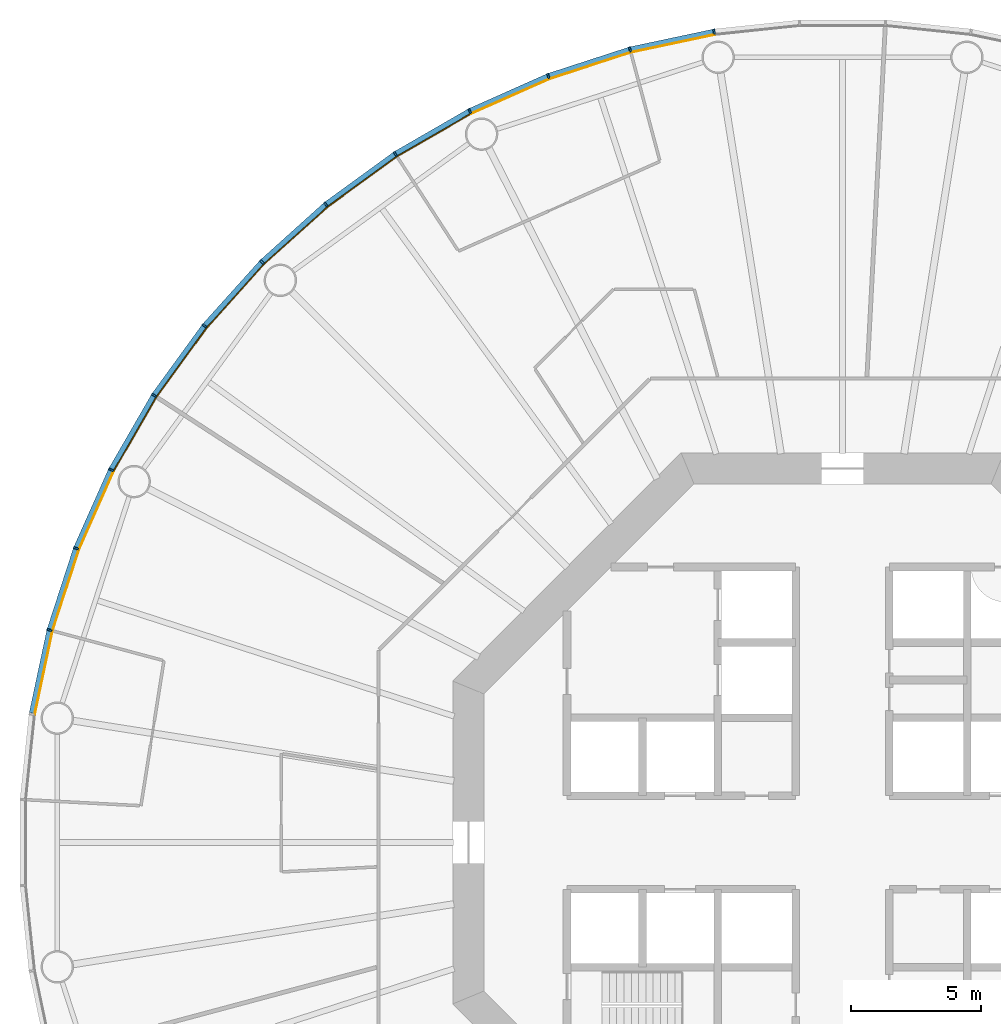
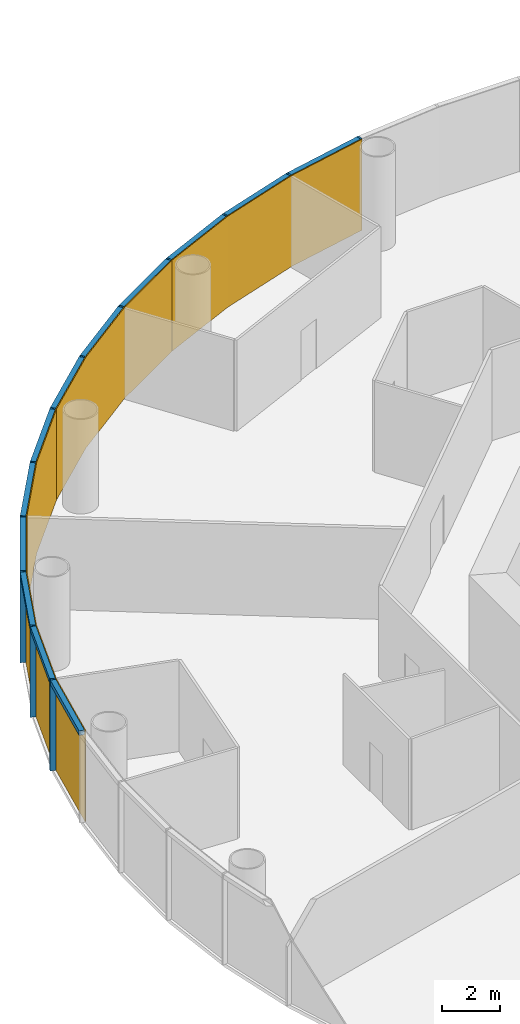
# One storey, part 10 of 13: 24 members, 4 curtain walls.
"""IFC4 building model written with IfcOpenShell, lengths in metres."""

from ifc_helpers import new_model, si_unit, direction, frame, origin, origin_2d, place, context, subcontext, project, spatial, polyline, rectangle, outline, extrude, material, layer, layer_set, material_profile, profile_set, type_object, element, aggregate, save


model = new_model("IFC4")

# Units and contexts
model_context = context("Model", 3, precision=1e-05, world=origin(), true_north=direction((0.0, 1.0)))
body_context = subcontext(model_context, "Body", "Model", "MODEL_VIEW")
ifc_project = project(units=[si_unit("LENGTHUNIT", "METRE"), si_unit("AREAUNIT", "SQUARE_METRE"), si_unit("VOLUMEUNIT", "CUBIC_METRE"), si_unit("PLANEANGLEUNIT", "RADIAN"), si_unit("MASSUNIT", "GRAM", prefix="KILO")], contexts=[model_context])

# Member
ifc_material_1 = material(Name="Anodised aluminium", Category="aluminium")
ifc_material_profile_1 = material_profile(ifc_material_1, rectangle(XDim=0.070068359375, YDim=0.199951171875, at=origin_2d()), Name="Mullion 70 x 200 mm anodised aluminium")
ifc_profile_set_1 = profile_set([ifc_material_profile_1], Name="Anodised aluminium")
member_type_1 = type_object("IfcMemberType", Name="Mullion 70 x 200 mm anodised aluminium", PredefinedType="MULLION", material=ifc_profile_set_1)
site_placement = place(None, origin())
building_placement = place(site_placement, origin())
storey_placement = place(building_placement, frame((0.0, 0.0, 88.0)))
member_1_placement = place(storey_placement, frame((85.056640625, 111.2109375, 0.0), z_axis=(0.0, 0.0, 1.0), x_axis=(-0.987688340595, -0.15643446504, 0.0)))
member_1 = element("IfcMember", 1, at=member_1_placement, type_object=member_type_1, Name="MULLION L19-15", PredefinedType="MULLION", context=body_context, shape_type="SweptSolid", body=[
    extrude(rectangle(XDim=0.070068359375, YDim=0.199951171875, at=origin_2d()), origin(), (0.0, 0.0, 1.0), 3.85009765625),
])

member_2_placement = place(storey_placement, frame((81.8212890625, 110.523193359375, 0.0), z_axis=(0.0, 0.0, 1.0), x_axis=(-0.965925826289, -0.258819045103, 0.0)))
member_2 = element("IfcMember", 2, at=member_2_placement, type_object=member_type_1, Name="MULLION L19-16", PredefinedType="MULLION", context=body_context, shape_type="SweptSolid", body=[
    extrude(rectangle(XDim=0.070068359375, YDim=0.199951171875, at=origin_2d()), origin(), (0.0, 0.0, 1.0), 3.85009765625),
])

member_3_placement = place(storey_placement, frame((78.675537109375, 109.501220703125, 0.0), z_axis=(0.0, 0.0, 1.0), x_axis=(-0.933580426497, -0.358367949545, 0.0)))
member_3 = element("IfcMember", 3, at=member_3_placement, type_object=member_type_1, Name="MULLION L19-17", PredefinedType="MULLION", context=body_context, shape_type="SweptSolid", body=[
    extrude(rectangle(XDim=0.070068359375, YDim=0.199951171875, at=origin_2d()), origin(), (0.0, 0.0, 1.0), 3.85009765625),
])

member_4_placement = place(storey_placement, frame((75.65380859375, 108.15576171875, 0.0), z_axis=(0.0, 0.0, 1.0), x_axis=(-0.891006524188, -0.45399049974, 0.0)))
member_4 = element("IfcMember", 4, at=member_4_placement, type_object=member_type_1, Name="MULLION L19-18", PredefinedType="MULLION", context=body_context, shape_type="SweptSolid", body=[
    extrude(rectangle(XDim=0.070068359375, YDim=0.199951171875, at=origin_2d()), origin(), (0.0, 0.0, 1.0), 3.85009765625),
])

member_5_placement = place(storey_placement, frame((72.789306640625, 106.501953125, 0.0), z_axis=(0.0, 0.0, 1.0), x_axis=(-0.838670567945, -0.544639035015, 0.0)))
member_5 = element("IfcMember", 5, at=member_5_placement, type_object=member_type_1, Name="MULLION L19-19", PredefinedType="MULLION", context=body_context, shape_type="SweptSolid", body=[
    extrude(rectangle(XDim=0.070068359375, YDim=0.199951171875, at=origin_2d()), origin(), (0.0, 0.0, 1.0), 3.85009765625),
])

member_6_placement = place(storey_placement, frame((70.113525390625, 104.557861328125, 0.0), z_axis=(0.0, 0.0, 1.0), x_axis=(-0.777145961457, -0.62932039105, 0.0)))
member_6 = element("IfcMember", 6, at=member_6_placement, type_object=member_type_1, Name="MULLION L19-20", PredefinedType="MULLION", context=body_context, shape_type="SweptSolid", body=[
    extrude(rectangle(XDim=0.070068359375, YDim=0.199951171875, at=origin_2d()), origin(), (0.0, 0.0, 1.0), 3.85009765625),
])

member_7_placement = place(storey_placement, frame((67.655517578125, 102.344482421875, 0.0), z_axis=(0.0, 0.0, 1.0), x_axis=(-0.707106781187, -0.707106781187, 0.0)))
member_7 = element("IfcMember", 7, at=member_7_placement, type_object=member_type_1, Name="MULLION L19-21", PredefinedType="MULLION", context=body_context, shape_type="SweptSolid", body=[
    extrude(rectangle(XDim=0.070068359375, YDim=0.199951171875, at=origin_2d()), origin(), (0.0, 0.0, 1.0), 3.85009765625),
])

member_8_placement = place(storey_placement, frame((65.442138671875, 99.886474609375, 0.0), z_axis=(0.0, 0.0, 1.0), x_axis=(-0.62932039105, -0.777145961457, 0.0)))
member_8 = element("IfcMember", 8, at=member_8_placement, type_object=member_type_1, Name="MULLION L19-22", PredefinedType="MULLION", context=body_context, shape_type="SweptSolid", body=[
    extrude(rectangle(XDim=0.070068359375, YDim=0.199951171875, at=origin_2d()), origin(), (0.0, 0.0, 1.0), 3.85009765625),
])

member_9_placement = place(storey_placement, frame((63.498046875, 97.210693359375, 0.0), z_axis=(0.0, 0.0, 1.0), x_axis=(-0.544639035015, -0.838670567945, 0.0)))
member_9 = element("IfcMember", 9, at=member_9_placement, type_object=member_type_1, Name="MULLION L19-23", PredefinedType="MULLION", context=body_context, shape_type="SweptSolid", body=[
    extrude(rectangle(XDim=0.070068359375, YDim=0.199951171875, at=origin_2d()), origin(), (0.0, 0.0, 1.0), 3.85009765625),
])

member_10_placement = place(storey_placement, frame((61.84423828125, 94.34619140625, 0.0), z_axis=(0.0, 0.0, 1.0), x_axis=(-0.45399049974, -0.891006524188, 0.0)))
member_10 = element("IfcMember", 10, at=member_10_placement, type_object=member_type_1, Name="MULLION L19-24", PredefinedType="MULLION", context=body_context, shape_type="SweptSolid", body=[
    extrude(rectangle(XDim=0.070068359375, YDim=0.199951171875, at=origin_2d()), origin(), (0.0, 0.0, 1.0), 3.85009765625),
])

member_11_placement = place(storey_placement, frame((60.498779296875, 91.324462890625, 0.0), z_axis=(0.0, 0.0, 1.0), x_axis=(-0.358367949545, -0.933580426497, 0.0)))
member_11 = element("IfcMember", 11, at=member_11_placement, type_object=member_type_1, Name="MULLION L19-25", PredefinedType="MULLION", context=body_context, shape_type="SweptSolid", body=[
    extrude(rectangle(XDim=0.070068359375, YDim=0.199951171875, at=origin_2d()), origin(), (0.0, 0.0, 1.0), 3.85009765625),
])

member_12_placement = place(storey_placement, frame((59.476806640625, 88.1787109375, 0.0), z_axis=(0.0, 0.0, 1.0), x_axis=(-0.258819045103, -0.965925826289, 0.0)))
member_12 = element("IfcMember", 12, at=member_12_placement, type_object=member_type_1, Name="MULLION L19-26", PredefinedType="MULLION", context=body_context, shape_type="SweptSolid", body=[
    extrude(rectangle(XDim=0.070068359375, YDim=0.199951171875, at=origin_2d()), origin(), (0.0, 0.0, 1.0), 3.85009765625),
])

ifc_material_2 = material(Name="Anodised aluminium", Category="aluminium")
ifc_material_profile_2 = material_profile(ifc_material_2, rectangle(XDim=0.199951171875, YDim=0.18994140625, at=origin_2d()), Name="Transom 190 x 200 mm anodised aluminium")
ifc_profile_set_2 = profile_set([ifc_material_profile_2], Name="Anodised aluminium")
member_type_2 = type_object("IfcMemberType", Name="Transom 190 x 200 mm anodised aluminium", PredefinedType="USERDEFINED", material=ifc_profile_set_2)
member_13_placement = place(storey_placement, frame((85.017333984375, 111.20263671875, 3.7548828125), z_axis=(-0.978153082647, -0.207885898771, 0.0), x_axis=(0.207885898771, -0.978153082647, 0.0)))
member_13 = element("IfcMember", 13, at=member_13_placement, type_object=member_type_2, Name="TRANSOM L19-15", ObjectType="TRANSOM", PredefinedType="USERDEFINED", context=body_context, shape_type="SweptSolid", body=[
    extrude(rectangle(XDim=0.199951171875, YDim=0.18994140625, at=origin_2d()), origin(), (0.0, 0.0, 1.0), 3.227294921875),
])

member_14_placement = place(storey_placement, frame((81.782958984375, 110.510986328125, 3.7548828125), z_axis=(-0.951046855117, -0.309046726844, 0.0), x_axis=(0.309046726844, -0.951046855117, 0.0)))
member_14 = element("IfcMember", 14, at=member_14_placement, type_object=member_type_2, Name="TRANSOM L19-16", ObjectType="TRANSOM", PredefinedType="USERDEFINED", context=body_context, shape_type="SweptSolid", body=[
    extrude(rectangle(XDim=0.199951171875, YDim=0.18994140625, at=origin_2d()), origin(), (0.0, 0.0, 1.0), 3.22705078125),
])

member_15_placement = place(storey_placement, frame((78.638671875, 109.48486328125, 3.7548828125), z_axis=(-0.913549291349, -0.406728032322, 0.0), x_axis=(0.406728032322, -0.913549291349, 0.0)))
member_15 = element("IfcMember", 15, at=member_15_placement, type_object=member_type_2, Name="TRANSOM L19-17", ObjectType="TRANSOM", PredefinedType="USERDEFINED", context=body_context, shape_type="SweptSolid", body=[
    extrude(rectangle(XDim=0.199951171875, YDim=0.18994140625, at=origin_2d()), origin(), (0.0, 0.0, 1.0), 3.22705078125),
])

member_16_placement = place(storey_placement, frame((75.618896484375, 108.1357421875, 3.7548828125), z_axis=(-0.866023062494, -0.500004055213, 0.0), x_axis=(0.500004055213, -0.866023062494, 0.0)))
member_16 = element("IfcMember", 16, at=member_16_placement, type_object=member_type_2, Name="TRANSOM L19-18", ObjectType="TRANSOM", PredefinedType="USERDEFINED", context=body_context, shape_type="SweptSolid", body=[
    extrude(rectangle(XDim=0.199951171875, YDim=0.18994140625, at=origin_2d()), origin(), (0.0, 0.0, 1.0), 3.22705078125),
])

member_17_placement = place(storey_placement, frame((72.7568359375, 106.478515625, 3.7548828125), z_axis=(-0.809004252048, -0.587802790201, 0.0), x_axis=(0.587802790201, -0.809004252048, 0.0)))
member_17 = element("IfcMember", 17, at=member_17_placement, type_object=member_type_2, Name="TRANSOM L19-19", ObjectType="TRANSOM", PredefinedType="USERDEFINED", context=body_context, shape_type="SweptSolid", body=[
    extrude(rectangle(XDim=0.199951171875, YDim=0.18994140625, at=origin_2d()), origin(), (0.0, 0.0, 1.0), 3.227294921875),
])

member_18_placement = place(storey_placement, frame((70.08349609375, 104.531005859375, 3.7548828125), z_axis=(-0.743132370743, -0.669144438484, 0.0), x_axis=(0.669144438484, -0.743132370743, 0.0)))
member_18 = element("IfcMember", 18, at=member_18_placement, type_object=member_type_2, Name="TRANSOM L19-20", ObjectType="TRANSOM", PredefinedType="USERDEFINED", context=body_context, shape_type="SweptSolid", body=[
    extrude(rectangle(XDim=0.199951171875, YDim=0.18994140625, at=origin_2d()), origin(), (0.0, 0.0, 1.0), 3.22705078125),
])

member_19_placement = place(storey_placement, frame((67.62841796875, 102.314697265625, 3.7548828125), z_axis=(-0.669144438484, -0.743132370743, 0.0), x_axis=(0.743132370743, -0.669144438484, 0.0)))
member_19 = element("IfcMember", 19, at=member_19_placement, type_object=member_type_2, Name="TRANSOM L19-21", ObjectType="TRANSOM", PredefinedType="USERDEFINED", context=body_context, shape_type="SweptSolid", body=[
    extrude(rectangle(XDim=0.199951171875, YDim=0.18994140625, at=origin_2d()), origin(), (0.0, 0.0, 1.0), 3.22705078125),
])

member_20_placement = place(storey_placement, frame((65.41845703125, 99.85400390625, 3.7548828125), z_axis=(-0.587802790201, -0.809004252048, 0.0), x_axis=(0.809004252048, -0.587802790201, 0.0)))
member_20 = element("IfcMember", 20, at=member_20_placement, type_object=member_type_2, Name="TRANSOM L19-22", ObjectType="TRANSOM", PredefinedType="USERDEFINED", context=body_context, shape_type="SweptSolid", body=[
    extrude(rectangle(XDim=0.199951171875, YDim=0.18994140625, at=origin_2d()), origin(), (0.0, 0.0, 1.0), 3.227294921875),
])

member_21_placement = place(storey_placement, frame((63.477783203125, 97.17578125, 3.7548828125), z_axis=(-0.500004055213, -0.866023062494, 0.0), x_axis=(0.866023062494, -0.500004055213, 0.0)))
member_21 = element("IfcMember", 21, at=member_21_placement, type_object=member_type_2, Name="TRANSOM L19-23", ObjectType="TRANSOM", PredefinedType="USERDEFINED", context=body_context, shape_type="SweptSolid", body=[
    extrude(rectangle(XDim=0.199951171875, YDim=0.18994140625, at=origin_2d()), origin(), (0.0, 0.0, 1.0), 3.22705078125),
])

member_22_placement = place(storey_placement, frame((61.82763671875, 94.309326171875, 3.7548828125), z_axis=(-0.406728032322, -0.913549291349, 0.0), x_axis=(0.913549291349, -0.406728032322, 0.0)))
member_22 = element("IfcMember", 22, at=member_22_placement, type_object=member_type_2, Name="TRANSOM L19-24", ObjectType="TRANSOM", PredefinedType="USERDEFINED", context=body_context, shape_type="SweptSolid", body=[
    extrude(rectangle(XDim=0.199951171875, YDim=0.18994140625, at=origin_2d()), origin(), (0.0, 0.0, 1.0), 3.22705078125),
])

member_23_placement = place(storey_placement, frame((60.486328125, 91.2861328125, 3.7548828125), z_axis=(-0.309046726844, -0.951046855117, 0.0), x_axis=(0.951046855117, -0.309046726844, 0.0)))
member_23 = element("IfcMember", 23, at=member_23_placement, type_object=member_type_2, Name="TRANSOM L19-25", ObjectType="TRANSOM", PredefinedType="USERDEFINED", context=body_context, shape_type="SweptSolid", body=[
    extrude(rectangle(XDim=0.199951171875, YDim=0.18994140625, at=origin_2d()), origin(), (0.0, 0.0, 1.0), 3.22705078125),
])

member_24_placement = place(storey_placement, frame((59.46826171875, 88.139404296875, 3.7548828125), z_axis=(-0.207885898771, -0.978153082647, 0.0), x_axis=(0.978153082647, -0.207885898771, 0.0)))
member_24 = element("IfcMember", 24, at=member_24_placement, type_object=member_type_2, Name="TRANSOM L19-26", ObjectType="TRANSOM", PredefinedType="USERDEFINED", context=body_context, shape_type="SweptSolid", body=[
    extrude(rectangle(XDim=0.199951171875, YDim=0.18994140625, at=origin_2d()), origin(), (0.0, 0.0, 1.0), 3.227294921875),
])

# Site, building, storey
site = spatial("IfcSite", under=ifc_project, at=site_placement, CompositionType="ELEMENT")
building = spatial("IfcBuilding", under=site, at=building_placement, Name="Entoto Ring Tower", CompositionType="ELEMENT")
storey = spatial("IfcBuildingStorey", under=building, at=storey_placement, Name="L19", CompositionType="ELEMENT", Elevation=88.0)

# Curtain wall
ifc_material_3 = material(Name="Clear low-iron glass", Category="glass")
ifc_layer = layer(ifc_material_3, 0.035888671875)
ifc_layer_set = layer_set([ifc_layer], Name="Clear low-iron glass")
curtain_wall_type = type_object("IfcCurtainWallType", Name="Curtain wall system CW2 glazing 36 mm", PredefinedType="NOTDEFINED", material=ifc_layer_set)
curtain_wall_1_placement = place(storey_placement, origin())
curtain_wall_1 = element("IfcCurtainWall", 25, at=curtain_wall_1_placement, inside=storey, type_object=curtain_wall_type, Name="CW2 L19-06", PredefinedType="NOTDEFINED", context=body_context, shape_type="SweptSolid", body=[
    extrude(outline(polyline([(85.072265625, 111.1123046875), (81.84716796875, 110.4267578125), (78.71142578125, 109.40771484375), (75.69921875, 108.066650390625), (75.715576171875, 108.03466796875), (78.724365234375, 109.3740234375), (81.8564453125, 110.391845703125), (85.077880859375, 111.07666015625), (85.072265625, 111.1123046875)])), origin(), (0.0, 0.0, 1.0), 3.85009765625),
])

aggregate(curtain_wall_1, [member_1, member_2, member_3, member_13, member_14, member_15])

curtain_wall_2_placement = place(storey_placement, origin())
curtain_wall_2 = element("IfcCurtainWall", 26, at=curtain_wall_2_placement, inside=storey, type_object=curtain_wall_type, Name="CW2 L19-07", PredefinedType="NOTDEFINED", context=body_context, shape_type="SweptSolid", body=[
    extrude(outline(polyline([(75.69921875, 108.066650390625), (72.84375, 106.418212890625), (70.176513671875, 104.47998046875), (67.72607421875, 102.27392578125), (67.751708984375, 102.248291015625), (70.198974609375, 104.4521484375), (72.863525390625, 106.387939453125), (75.715576171875, 108.03466796875), (75.69921875, 108.066650390625)])), origin(), (0.0, 0.0, 1.0), 3.85009765625),
])

aggregate(curtain_wall_2, [member_4, member_5, member_6, member_16, member_17, member_18])

curtain_wall_3_placement = place(storey_placement, origin())
curtain_wall_3 = element("IfcCurtainWall", 27, at=curtain_wall_3_placement, inside=storey, type_object=curtain_wall_type, Name="CW2 L19-08", PredefinedType="NOTDEFINED", context=body_context, shape_type="SweptSolid", body=[
    extrude(outline(polyline([(67.72607421875, 102.27392578125), (65.52001953125, 99.823486328125), (63.581787109375, 97.15625), (61.933349609375, 94.30078125), (61.96533203125, 94.284423828125), (63.612060546875, 97.136474609375), (65.5478515625, 99.801025390625), (67.751708984375, 102.248291015625), (67.72607421875, 102.27392578125)])), origin(), (0.0, 0.0, 1.0), 3.85009765625),
])

aggregate(curtain_wall_3, [member_7, member_8, member_9, member_19, member_20, member_21])

curtain_wall_4_placement = place(storey_placement, origin())
curtain_wall_4 = element("IfcCurtainWall", 28, at=curtain_wall_4_placement, inside=storey, type_object=curtain_wall_type, Name="CW2 L19-09", PredefinedType="NOTDEFINED", context=body_context, shape_type="SweptSolid", body=[
    extrude(outline(polyline([(61.933349609375, 94.30078125), (60.59228515625, 91.28857421875), (59.5732421875, 88.15283203125), (58.8876953125, 84.927734375), (58.92333984375, 84.922119140625), (59.608154296875, 88.1435546875), (60.6259765625, 91.275634765625), (61.96533203125, 94.284423828125), (61.933349609375, 94.30078125)])), origin(), (0.0, 0.0, 1.0), 3.85009765625),
])

aggregate(curtain_wall_4, [member_10, member_11, member_12, member_22, member_23, member_24])

save(model, "model.ifc")
